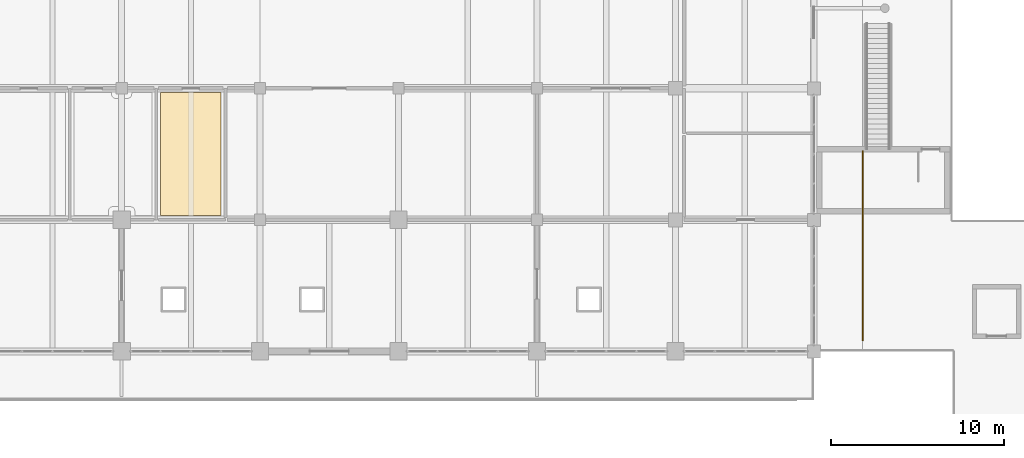
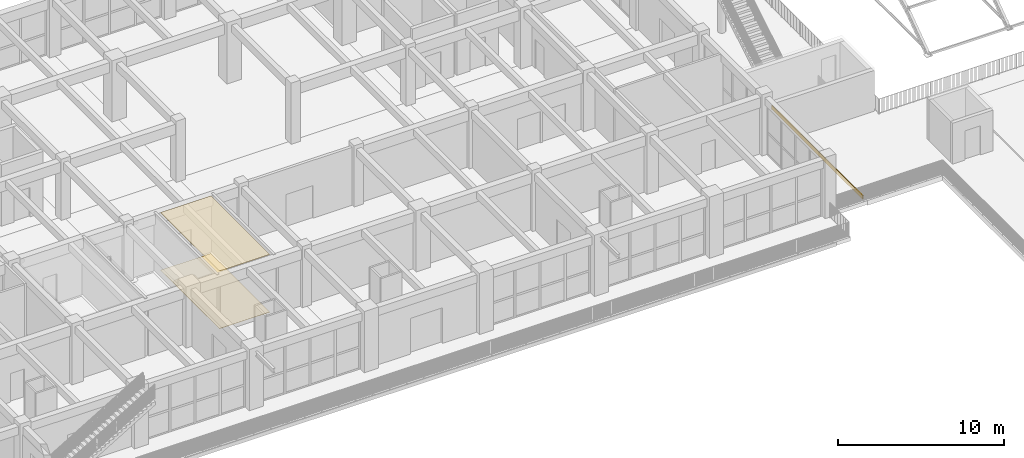
# One storey, part 72 of 79: 3 coverings.
"""IFC4 building model written with IfcOpenShell, lengths in metres."""

from ifc_helpers import new_model, si_unit, direction, frame, origin, place, context, subcontext, project, spatial, polyline, outline, extrude, material, layer, layer_set, type_object, element, save


model = new_model("IFC4")

# Units and contexts
model_context = context("Model", 3, precision=1e-05, world=origin(), true_north=direction((0.0, 1.0)))
body_context = subcontext(model_context, "Body", "Model", "MODEL_VIEW")
ifc_project = project(units=[si_unit("LENGTHUNIT", "METRE"), si_unit("AREAUNIT", "SQUARE_METRE"), si_unit("VOLUMEUNIT", "CUBIC_METRE"), si_unit("PLANEANGLEUNIT", "RADIAN"), si_unit("MASSUNIT", "GRAM", prefix="KILO")], contexts=[model_context])

# Site, building, storey
site_placement = place(None, origin())
site = spatial("IfcSite", under=ifc_project, at=site_placement, CompositionType="ELEMENT")
building_placement = place(site_placement, origin())
building = spatial("IfcBuilding", under=site, at=building_placement, Name="Zantavel Square City Hall", CompositionType="ELEMENT")
storey_placement = place(building_placement, frame((0.0, 0.0, 10.199951171875)))
storey = spatial("IfcBuildingStorey", under=building, at=storey_placement, Name="L03", CompositionType="ELEMENT", Elevation=10.199951171875)

# Coverings
ifc_material_1 = material(Name="White cantera volcanic tuff stone", Category="masonry")
ifc_layer_1 = layer(ifc_material_1, 0.06005859375, Name="White cantera volcanic tuff stone")
ifc_layer_set_1 = layer_set([ifc_layer_1], Name="White cantera volcanic tuff stone")
covering_type_1 = type_object("IfcCoveringType", Name="Carved White Cantera Tray Fascia Cladding 60mm", PredefinedType="CLADDING", material=ifc_layer_set_1)
covering_1_placement = place(storey_placement, frame((0.0, 0.0, -0.280029296875)))
element("IfcCovering", 1, at=covering_1_placement, inside=storey, type_object=covering_type_1, Name="L03 White Cantera Tray Fascia COV-FASCIA-L03E", PredefinedType="CLADDING", context=body_context, shape_type="SweptSolid", body=[
    extrude(outline(polyline([(114.800048828125, 31.0), (114.860107421875, 31.0), (114.860107421875, 42.0), (114.800048828125, 42.0), (114.800048828125, 31.0)])), origin(), (0.0, 0.0, 1.0), 0.280029296875),
])
ifc_material_2 = material(Name="Terrazzo stone finish", Category="masonry")
ifc_layer_2 = layer(ifc_material_2, 0.02001953125, Name="Terrazzo stone finish")
ifc_layer_set_2 = layer_set([ifc_layer_2], Name="Terrazzo stone finish")
covering_type_2 = type_object("IfcCoveringType", Name="Honed Cantera-Terrazzo Civic Flooring 20mm", PredefinedType="FLOORING", material=ifc_layer_set_2)
covering_2_placement = place(storey_placement, origin())
element("IfcCovering", 2, at=covering_2_placement, inside=storey, type_object=covering_type_2, Name="L03 L03 Accessible WC Terrazzo Flooring", PredefinedType="FLOORING", context=body_context, shape_type="SweptSolid", body=[
    extrude(outline(polyline([(74.25, 45.35009765625), (77.75, 45.35009765625), (77.75, 38.25), (74.25, 38.25), (74.25, 45.35009765625)])), origin(), (0.0, 0.0, 1.0), 0.02001953125),
])
ifc_material_3 = material(Name="Gypsum acoustic stud assembly", Category="masonry")
ifc_layer_3 = layer(ifc_material_3, 0.02490234375, Name="Gypsum acoustic stud assembly")
ifc_layer_set_3 = layer_set([ifc_layer_3], Name="Gypsum acoustic stud assembly")
covering_type_3 = type_object("IfcCoveringType", Name="Perforated Gypsum Acoustic Ceiling 25mm", PredefinedType="CEILING", material=ifc_layer_set_3)
covering_3_placement = place(storey_placement, frame((0.0, 0.0, 4.235107421875)))
element("IfcCovering", 3, at=covering_3_placement, inside=storey, type_object=covering_type_3, Name="L03 L03 Accessible WC Acoustic Ceiling", PredefinedType="CEILING", context=body_context, shape_type="SweptSolid", body=[
    extrude(outline(polyline([(74.25, 45.35009765625), (77.75, 45.35009765625), (77.75, 38.25), (74.25, 38.25), (74.25, 45.35009765625)])), origin(), (0.0, 0.0, 1.0), 0.02490234375),
])

save(model, "model.ifc")
